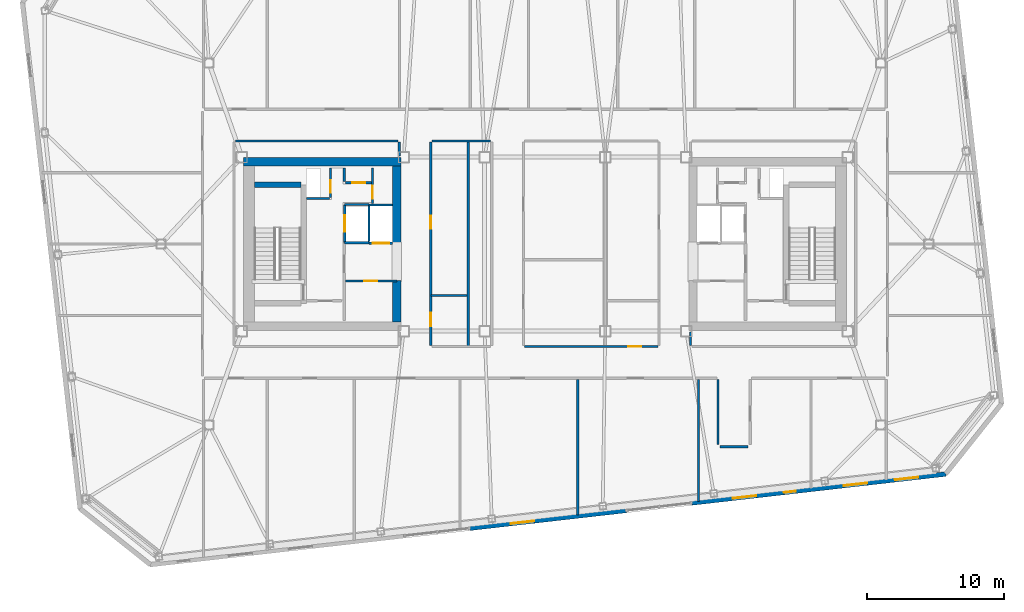
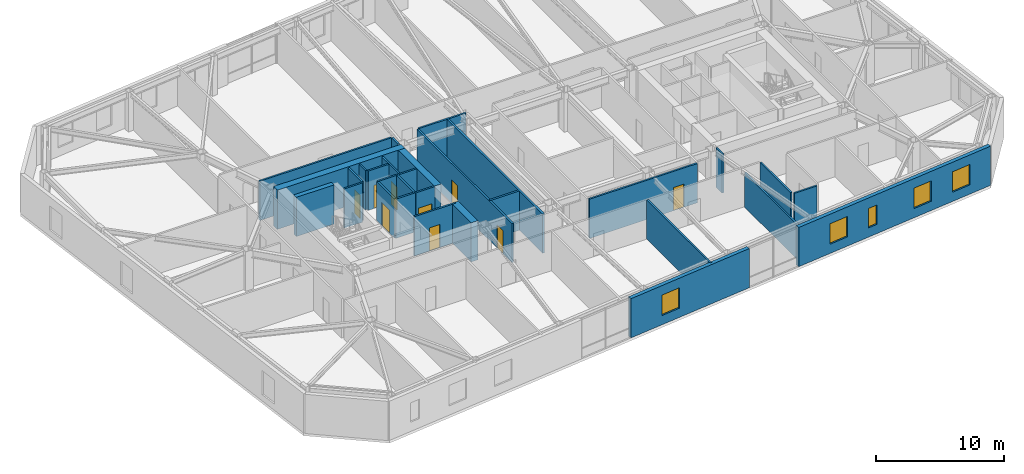
# One storey, part 15 of 21: 30 walls, 9 doors, 5 windows, 14 openings.
"""IFC4 building model written with IfcOpenShell, lengths in metres."""

from ifc_helpers import new_model, si_unit, direction, frame, frame_2d, origin, place, context, subcontext, project, spatial, rectangle, extrude, material, layer, layer_set, type_object, element, fill, save


model = new_model("IFC4")

# Units and contexts
model_context = context("Model", 3, precision=1e-05, world=origin(), true_north=direction((0.0, 1.0)))
body_context = subcontext(model_context, "Body", "Model", "MODEL_VIEW")
ifc_project = project(units=[si_unit("LENGTHUNIT", "METRE"), si_unit("AREAUNIT", "SQUARE_METRE"), si_unit("VOLUMEUNIT", "CUBIC_METRE"), si_unit("PLANEANGLEUNIT", "RADIAN"), si_unit("MASSUNIT", "GRAM", prefix="KILO")], contexts=[model_context])

# Site, building, storey
site_placement = place(None, origin())
site = spatial("IfcSite", under=ifc_project, at=site_placement, CompositionType="ELEMENT")
building_placement = place(site_placement, origin())
building = spatial("IfcBuilding", under=site, at=building_placement, Name="Tavrogorsk Clinical Tower", CompositionType="ELEMENT")
storey_placement = place(building_placement, frame((0.0, 0.0, 247.0)))
storey = spatial("IfcBuildingStorey", under=building, at=storey_placement, Name="L57", CompositionType="ELEMENT", Elevation=247.0)

# Wall, opening, door
ifc_material_1 = material(Name="Lightweight concrete blockwork B15", Category="masonry")
ifc_layer_1 = layer(ifc_material_1, 0.159912109375)
ifc_layer_set_1 = layer_set([ifc_layer_1], Name="Lightweight concrete blockwork B15")
wall_type_1 = type_object("IfcWallType", Name="PartitionWall_160", PredefinedType="PARTITIONING", material=ifc_layer_set_1)
wall_1_placement = place(storey_placement, frame((-14.534912109375, -2.699951171875, 0.0), z_axis=(0.0, 0.0, 1.0), x_axis=(1.0, 0.0, 0.0)))
wall_1 = element("IfcWall", 1, at=wall_1_placement, inside=storey, type_object=wall_type_1, Name="L57 Core West Freed Mid-Bank North Partition", PredefinedType="PARTITIONING", context=body_context, shape_type="SweptSolid", body=[
    extrude(rectangle(XDim=3.73486328125, YDim=0.159912109375, at=frame_2d((1.867431640625, 0.0))), origin(), (0.0, 0.0, 1.0), 3.739990234375),
])
opening_1_placement = place(wall_1_placement, frame((1.35009765625, 0.0, 0.0)))
opening_1 = element("IfcOpeningElement", 2, at=opening_1_placement, cuts=wall_1, Name="Opening ID-02", PredefinedType="OPENING", context=body_context, shape_type="SweptSolid", body=[
    extrude(rectangle(XDim=0.949951171875, YDim=2.199951171875, at=frame_2d((0.47509765625, 1.10009765625))), frame((0.0, 0.08984375, 0.0), z_axis=(0.0, -1.0, 0.0), x_axis=(1.0, 0.0, 0.0)), (0.0, 0.0, 1.0), 0.179931640625),
])
ifc_material_2 = material(Name="Laminated timber leaf on aluminium frame", Category="wood")
door_type_1 = type_object("IfcDoorType", Name="InteriorDoor_ID02_950", OperationType="NOTDEFINED", PredefinedType="DOOR", material=ifc_material_2)
door_1_placement = place(opening_1_placement, origin())
door_1 = element("IfcDoor", 3, at=door_1_placement, inside=storey, type_object=door_type_1, Name="L57 Core West Pharmacy Prep Door", OperationType="SINGLE_SWING_LEFT", OverallHeight=2.199951171875, OverallWidth=0.949951171875, PredefinedType="DOOR", context=body_context, shape_type="SweptSolid", body=[
    extrude(rectangle(XDim=0.949951171875, YDim=2.199951171875, at=frame_2d((0.47509765625, 1.10009765625))), frame((0.0, 0.02490234375, 0.0), z_axis=(0.0, -1.0, 0.0), x_axis=(1.0, 0.0, 0.0)), (0.0, 0.0, 1.0), 0.050048828125),
])
fill(opening_1, door_1)

wall_2_placement = place(storey_placement, frame((-12.580078125, 2.9599609375, 0.0), z_axis=(0.0, 0.0, 1.0), x_axis=(0.0, 1.0, 0.0)))
wall_2 = element("IfcWall", 4, at=wall_2_placement, inside=storey, type_object=wall_type_1, Name="L57 Core West Linen Closet Wall", PredefinedType="PARTITIONING", context=body_context, shape_type="SweptSolid", body=[
    extrude(rectangle(XDim=2.60009765625, YDim=0.159912109375, at=frame_2d((1.300048828125, 0.0))), origin(), (0.0, 0.0, 1.0), 3.739990234375),
])
opening_2_placement = place(wall_2_placement, frame((0.35009765625, 0.0, 0.0)))
opening_2 = element("IfcOpeningElement", 5, at=opening_2_placement, cuts=wall_2, Name="Opening ID-02", PredefinedType="OPENING", context=body_context, shape_type="SweptSolid", body=[
    extrude(rectangle(XDim=0.949951171875, YDim=2.199951171875, at=frame_2d((0.47509765625, 1.10009765625))), frame((0.0, 0.08984375, 0.0), z_axis=(0.0, -1.0, 0.0), x_axis=(1.0, 0.0, 0.0)), (0.0, 0.0, 1.0), 0.179931640625),
])
door_2_placement = place(opening_2_placement, origin())
door_2 = element("IfcDoor", 6, at=door_2_placement, inside=storey, type_object=door_type_1, Name="L57 Core West Linen Closet Door", OperationType="SINGLE_SWING_RIGHT", OverallHeight=2.199951171875, OverallWidth=0.949951171875, PredefinedType="DOOR", context=body_context, shape_type="SweptSolid", body=[
    extrude(rectangle(XDim=0.949951171875, YDim=2.199951171875, at=frame_2d((0.47509765625, 1.10009765625))), frame((0.0, 0.02490234375, 0.0), z_axis=(0.0, -1.0, 0.0), x_axis=(1.0, 0.0, 0.0)), (0.0, 0.0, 1.0), 0.050048828125),
])
fill(opening_2, door_2)

wall_3_placement = place(storey_placement, frame((-14.554931640625, 4.47998046875, 0.0), z_axis=(0.0, 0.0, 1.0), x_axis=(1.0, 0.0, 0.0)))
wall_3 = element("IfcWall", 7, at=wall_3_placement, inside=storey, type_object=wall_type_1, Name="L57 Core West Housekeeping South Wall", PredefinedType="PARTITIONING", context=body_context, shape_type="SweptSolid", body=[
    extrude(rectangle(XDim=1.889892578125, YDim=0.159912109375, at=frame_2d((0.94482421875, 0.0))), origin(), (0.0, 0.0, 1.0), 3.739990234375),
])
opening_3_placement = place(wall_3_placement, frame((0.5, 0.0, 0.0)))
opening_3 = element("IfcOpeningElement", 8, at=opening_3_placement, cuts=wall_3, Name="Opening ID-02", PredefinedType="OPENING", context=body_context, shape_type="SweptSolid", body=[
    extrude(rectangle(XDim=0.949951171875, YDim=2.199951171875, at=frame_2d((0.47509765625, 1.10009765625))), frame((0.0, 0.08984375, 0.0), z_axis=(0.0, -1.0, 0.0), x_axis=(1.0, 0.0, 0.0)), (0.0, 0.0, 1.0), 0.179931640625),
])
door_3_placement = place(opening_3_placement, origin())
door_3 = element("IfcDoor", 9, at=door_3_placement, inside=storey, type_object=door_type_1, Name="L57 Core West Housekeeping Closet Door", OperationType="SINGLE_SWING_LEFT", OverallHeight=2.199951171875, OverallWidth=0.949951171875, PredefinedType="DOOR", context=body_context, shape_type="SweptSolid", body=[
    extrude(rectangle(XDim=0.949951171875, YDim=2.199951171875, at=frame_2d((0.47509765625, 1.10009765625))), frame((0.0, 0.02490234375, 0.0), z_axis=(0.0, -1.0, 0.0), x_axis=(1.0, 0.0, 0.0)), (0.0, 0.0, 1.0), 0.050048828125),
])
fill(opening_3, door_3)

# Walls
wall_4_placement = place(storey_placement, frame((-14.639892578125, 4.56494140625, 0.0), z_axis=(0.0, 0.0, 1.0), x_axis=(0.0, 1.0, 0.0)))
element("IfcWall", 10, at=wall_4_placement, inside=storey, type_object=wall_type_1, Name="L57 Core West Housekeeping East Wall", PredefinedType="PARTITIONING", context=body_context, shape_type="SweptSolid", body=[
    extrude(rectangle(XDim=0.9951171875, YDim=0.159912109375, at=frame_2d((0.49755859375, 0.0))), origin(), (0.0, 0.0, 1.0), 3.739990234375),
])
wall_5_placement = place(storey_placement, frame((14.81494140625, -14.780029296875, 0.0), z_axis=(0.0, 0.0, 1.0), x_axis=(-1.0, 0.0, 0.0)))
element("IfcWall", 11, at=wall_5_placement, inside=storey, type_object=wall_type_1, Name="L57 Corridor Partition 06", PredefinedType="PARTITIONING", context=body_context, shape_type="SweptSolid", body=[
    extrude(rectangle(XDim=2.030029296875, YDim=0.159912109375, at=frame_2d((1.01513671875, 0.0))), origin(), (0.0, 0.0, 1.0), 3.739990234375),
])
wall_6_placement = place(storey_placement, frame((12.6201171875, -14.614990234375, 0.0), z_axis=(0.0, 0.0, 1.0), x_axis=(0.0, 1.0, 0.0)))
element("IfcWall", 12, at=wall_6_placement, inside=storey, type_object=wall_type_1, Name="L57 Corridor Partition 07", PredefinedType="PARTITIONING", context=body_context, shape_type="SweptSolid", body=[
    extrude(rectangle(XDim=4.75, YDim=0.159912109375, at=frame_2d((2.375, 0.0))), origin(), (0.0, 0.0, 1.0), 3.739990234375),
])
wall_7_placement = place(storey_placement, frame((10.6298828125, -6.419921875, 0.0), z_axis=(0.0, 0.0, 1.0), x_axis=(0.0, -1.0, 0.0)))
element("IfcWall", 13, at=wall_7_placement, inside=storey, type_object=wall_type_1, Name="L57 Corridor Partition 11", PredefinedType="PARTITIONING", context=body_context, shape_type="SweptSolid", body=[
    extrude(rectangle(XDim=0.965087890625, YDim=0.159912109375, at=frame_2d((0.482421875, 0.0))), origin(), (0.0, 0.0, 1.0), 3.739990234375),
])

# Wall, opening, door
wall_8_placement = place(storey_placement, frame((-1.485107421875, -7.469970703125, 0.0), z_axis=(0.0, 0.0, 1.0), x_axis=(1.0, 0.0, 0.0)))
wall_8 = element("IfcWall", 14, at=wall_8_placement, inside=storey, type_object=wall_type_1, Name="L57 Corridor Partition 16", PredefinedType="PARTITIONING", context=body_context, shape_type="SweptSolid", body=[
    extrude(rectangle(XDim=9.72021484375, YDim=0.159912109375, at=frame_2d((4.860107421875, 0.0))), origin(), (0.0, 0.0, 1.0), 3.739990234375),
])
opening_4_placement = place(wall_8_placement, frame((7.560791015625, 0.0, 0.0)))
opening_4 = element("IfcOpeningElement", 15, at=opening_4_placement, cuts=wall_8, Name="Opening ID-02", PredefinedType="OPENING", context=body_context, shape_type="SweptSolid", body=[
    extrude(rectangle(XDim=0.949951171875, YDim=2.199951171875, at=frame_2d((0.47509765625, 1.10009765625))), frame((0.0, 0.08984375, 0.0), z_axis=(0.0, -1.0, 0.0), x_axis=(1.0, 0.0, 0.0)), (0.0, 0.0, 1.0), 0.179931640625),
])
door_4_placement = place(opening_4_placement, origin())
door_4 = element("IfcDoor", 16, at=door_4_placement, inside=storey, type_object=door_type_1, Name="L57 Staff & Visitor Accessible WC Door", OperationType="SINGLE_SWING_RIGHT", OverallHeight=2.199951171875, OverallWidth=0.949951171875, PredefinedType="DOOR", context=body_context, shape_type="SweptSolid", body=[
    extrude(rectangle(XDim=0.949951171875, YDim=2.199951171875, at=frame_2d((0.47509765625, 1.10009765625))), frame((0.0, 0.02490234375, 0.0), z_axis=(0.0, -1.0, 0.0), x_axis=(1.0, 0.0, 0.0)), (0.0, 0.0, 1.0), 0.050048828125),
])
fill(opening_4, door_4)

# Wall
wall_9_placement = place(storey_placement, frame((-3.965087890625, 7.52001953125, 0.0), z_axis=(0.0, 0.0, 1.0), x_axis=(-1.0, 0.0, 0.0)))
element("IfcWall", 17, at=wall_9_placement, inside=storey, type_object=wall_type_1, Name="L57 Corridor Partition 19", PredefinedType="PARTITIONING", context=body_context, shape_type="SweptSolid", body=[
    extrude(rectangle(XDim=4.27001953125, YDim=0.159912109375, at=frame_2d((2.135009765625, 0.0))), origin(), (0.0, 0.0, 1.0), 3.739990234375),
])

# Wall, openings, doors
wall_10_placement = place(storey_placement, frame((-8.320068359375, 7.43505859375, 0.0), z_axis=(0.0, 0.0, 1.0), x_axis=(0.0, -1.0, 0.0)))
wall_10 = element("IfcWall", 18, at=wall_10_placement, inside=storey, type_object=wall_type_1, Name="L57 Corridor Partition 20", PredefinedType="PARTITIONING", context=body_context, shape_type="SweptSolid", body=[
    extrude(rectangle(XDim=14.820068359375, YDim=0.159912109375, at=frame_2d((7.41015625, 0.0))), origin(), (0.0, 0.0, 1.0), 3.739990234375),
])
opening_5_placement = place(wall_10_placement, frame((12.4609375, 0.0, 0.0)))
opening_5 = element("IfcOpeningElement", 19, at=opening_5_placement, cuts=wall_10, Name="Opening ID-02", PredefinedType="OPENING", context=body_context, shape_type="SweptSolid", body=[
    extrude(rectangle(XDim=0.949951171875, YDim=2.199951171875, at=frame_2d((0.47509765625, 1.10009765625))), frame((0.0, 0.08984375, 0.0), z_axis=(0.0, -1.0, 0.0), x_axis=(1.0, 0.0, 0.0)), (0.0, 0.0, 1.0), 0.179931640625),
])
opening_6_placement = place(wall_10_placement, frame((5.35400390625, 0.0, 0.0)))
opening_6 = element("IfcOpeningElement", 20, at=opening_6_placement, cuts=wall_10, Name="Opening ID-02", PredefinedType="OPENING", context=body_context, shape_type="SweptSolid", body=[
    extrude(rectangle(XDim=0.949951171875, YDim=2.199951171875, at=frame_2d((0.47509765625, 1.10009765625))), frame((0.0, 0.08984375, 0.0), z_axis=(0.0, -1.0, 0.0), x_axis=(1.0, 0.0, 0.0)), (0.0, 0.0, 1.0), 0.179931640625),
])
door_5_placement = place(opening_5_placement, origin())
door_5 = element("IfcDoor", 21, at=door_5_placement, inside=storey, type_object=door_type_1, Name="L57 Accessible Patient Lavatory Door", OperationType="SINGLE_SWING_RIGHT", OverallHeight=2.199951171875, OverallWidth=0.949951171875, PredefinedType="DOOR", context=body_context, shape_type="SweptSolid", body=[
    extrude(rectangle(XDim=0.949951171875, YDim=2.199951171875, at=frame_2d((0.47509765625, 1.10009765625))), frame((0.0, 0.02490234375, 0.0), z_axis=(0.0, -1.0, 0.0), x_axis=(1.0, 0.0, 0.0)), (0.0, 0.0, 1.0), 0.050048828125),
])
fill(opening_5, door_5)
door_6_placement = place(opening_6_placement, origin())
door_6 = element("IfcDoor", 22, at=door_6_placement, inside=storey, type_object=door_type_1, Name="L57 Ward Nourishment Pantry Door", OperationType="SINGLE_SWING_LEFT", OverallHeight=2.199951171875, OverallWidth=0.949951171875, PredefinedType="DOOR", context=body_context, shape_type="SweptSolid", body=[
    extrude(rectangle(XDim=0.949951171875, YDim=2.199951171875, at=frame_2d((0.47509765625, 1.10009765625))), frame((0.0, 0.02490234375, 0.0), z_axis=(0.0, -1.0, 0.0), x_axis=(1.0, 0.0, 0.0)), (0.0, 0.0, 1.0), 0.050048828125),
])
fill(opening_6, door_6)

# Walls
wall_11_placement = place(storey_placement, frame((-10.6298828125, 6.419921875, 0.0), z_axis=(0.0, 0.0, 1.0), x_axis=(0.0, 1.0, 0.0)))
element("IfcWall", 23, at=wall_11_placement, inside=storey, type_object=wall_type_1, Name="L57 Corridor Partition 23", PredefinedType="PARTITIONING", context=body_context, shape_type="SweptSolid", body=[
    extrude(rectangle(XDim=1.01513671875, YDim=0.159912109375, at=frame_2d((0.507568359375, 0.0))), origin(), (0.0, 0.0, 1.0), 3.739990234375),
])
wall_12_placement = place(storey_placement, frame((-10.715087890625, 7.52001953125, 0.0), z_axis=(0.0, 0.0, 1.0), x_axis=(-1.0, 0.0, 0.0)))
element("IfcWall", 24, at=wall_12_placement, inside=storey, type_object=wall_type_1, Name="L57 Corridor Partition 24", PredefinedType="PARTITIONING", context=body_context, shape_type="SweptSolid", body=[
    extrude(rectangle(XDim=11.869873046875, YDim=0.159912109375, at=frame_2d((5.93505859375, 0.0))), origin(), (0.0, 0.0, 1.0), 3.739990234375),
])
wall_13_placement = place(storey_placement, frame((2.39990234375, -19.762939453125, 0.0), z_axis=(0.0, 0.0, 1.0), x_axis=(0.0, 1.0, 0.0)))
element("IfcWall", 25, at=wall_13_placement, inside=storey, type_object=wall_type_1, Name="L57 South Room Partition 4", PredefinedType="PARTITIONING", context=body_context, shape_type="SweptSolid", body=[
    extrude(rectangle(XDim=9.89794921875, YDim=0.159912109375, at=frame_2d((4.948974609375, 0.0))), origin(), (0.0, 0.0, 1.0), 3.739990234375),
])
wall_14_placement = place(storey_placement, frame((11.199951171875, -18.76025390625, 0.0), z_axis=(0.0, 0.0, 1.0), x_axis=(0.0, 1.0, 0.0)))
element("IfcWall", 26, at=wall_14_placement, inside=storey, type_object=wall_type_1, Name="L57 South Room Partition 5", PredefinedType="PARTITIONING", context=body_context, shape_type="SweptSolid", body=[
    extrude(rectangle(XDim=8.895263671875, YDim=0.159912109375, at=frame_2d((4.44775390625, 0.0))), origin(), (0.0, 0.0, 1.0), 3.284912109375),
])
ifc_material_3 = material(Name="Lightweight concrete blockwork B20", Category="masonry")
ifc_layer_2 = layer(ifc_material_3, 0.179931640625)
ifc_layer_set_2 = layer_set([ifc_layer_2], Name="Lightweight concrete blockwork B20")
wall_type_2 = type_object("IfcWallType", Name="PartitionWall_180", PredefinedType="PARTITIONING", material=ifc_layer_set_2)
wall_15_placement = place(storey_placement, frame((-5.60009765625, -7.465087890625, 0.0), z_axis=(0.0, 0.0, 1.0), x_axis=(0.0, 1.0, 0.0)))
element("IfcWall", 27, at=wall_15_placement, inside=storey, type_object=wall_type_2, Name="L57 Central Spine Partition 1", PredefinedType="PARTITIONING", context=body_context, shape_type="SweptSolid", body=[
    extrude(rectangle(XDim=14.97998046875, YDim=0.179931640625, at=frame_2d((7.489990234375, 0.0))), origin(), (0.0, 0.0, 1.0), 3.739990234375),
])
wall_16_placement = place(storey_placement, frame((-8.31494140625, -3.75, 0.0), z_axis=(0.0, 0.0, 1.0), x_axis=(1.0, 0.0, 0.0)))
element("IfcWall", 28, at=wall_16_placement, inside=storey, type_object=wall_type_2, Name="L57 Central Spine Partition 4", PredefinedType="PARTITIONING", context=body_context, shape_type="SweptSolid", body=[
    extrude(rectangle(XDim=2.619873046875, YDim=0.179931640625, at=frame_2d((1.31005859375, 0.0))), origin(), (0.0, 0.0, 1.0), 3.739990234375),
])

# Wall, opening, window
ifc_material_4 = material(Name="Precast concrete B45 with limestone cladding", Category="masonry")
ifc_layer_3 = layer(ifc_material_4, 0.340087890625)
ifc_layer_set_3 = layer_set([ifc_layer_3], Name="Precast concrete B45 with limestone cladding")
wall_type_3 = type_object("IfcWallType", Name="PrecastLimestoneWall_340", PredefinedType="STANDARD", material=ifc_layer_set_3)
wall_17_placement = place(storey_placement, frame((-5.48193359375, -20.7314453125, 0.0), z_axis=(0.0, 0.0, 1.0), x_axis=(0.993571968199, 0.113202226169, 0.0)))
wall_17 = element("IfcWall", 29, at=wall_17_placement, inside=storey, type_object=wall_type_3, Name="L57 S Limestone Facade Wall 2", PredefinedType="STANDARD", context=body_context, shape_type="SweptSolid", body=[
    extrude(rectangle(XDim=11.497314453125, YDim=0.340087890625, at=frame_2d((5.74853515625, 0.0))), origin(), (0.0, 0.0, 1.0), 3.739990234375),
])
opening_7_placement = place(wall_17_placement, frame((3.0244140625, 0.0, 0.8798828125)))
opening_7 = element("IfcOpeningElement", 30, at=opening_7_placement, cuts=wall_17, Name="Opening WN-15", PredefinedType="OPENING", context=body_context, shape_type="SweptSolid", body=[
    extrude(rectangle(XDim=1.699951171875, YDim=1.949951171875, at=frame_2d((0.85009765625, 0.97509765625))), frame((0.0, 0.179931640625, 0.0), z_axis=(0.0, -1.0, 0.0), x_axis=(1.0, 0.0, 0.0)), (0.0, 0.0, 1.0), 0.360107421875),
])
ifc_material_5 = material(Name="Thermally broken aluminium frame and triple IGU", Category="aluminium")
window_type_1 = type_object("IfcWindowType", Name="OfficeChicagoWin_1700x1950", PartitioningType="SINGLE_PANEL", PredefinedType="WINDOW", material=ifc_material_5)
window_1_placement = place(opening_7_placement, origin())
window_1 = element("IfcWindow", 31, at=window_1_placement, inside=storey, type_object=window_type_1, Name="L57 S Chicago Window 05", OverallHeight=1.949951171875, OverallWidth=1.699951171875, PartitioningType="SINGLE_PANEL", PredefinedType="WINDOW", context=body_context, shape_type="SweptSolid", body=[
    extrude(rectangle(XDim=1.699951171875, YDim=1.949951171875, at=frame_2d((0.85009765625, 0.97509765625))), frame((0.0, 0.030029296875, 0.0), z_axis=(0.0, -1.0, 0.0), x_axis=(1.0, 0.0, 0.0)), (0.0, 0.0, 1.0), 0.06005859375),
])
fill(opening_7, window_1)

# Wall, openings, windows
wall_18_placement = place(storey_placement, frame((10.71044921875, -18.886474609375, 0.0), z_axis=(0.0, 0.0, 1.0), x_axis=(0.993572271362, 0.113199565282, 0.0)))
wall_18 = element("IfcWall", 32, at=wall_18_placement, inside=storey, type_object=wall_type_3, Name="L57 S Limestone Facade Wall 3", PredefinedType="STANDARD", context=body_context, shape_type="SweptSolid", body=[
    extrude(rectangle(XDim=18.6513671875, YDim=0.340087890625, at=frame_2d((9.32568359375, 0.0))), origin(), (0.0, 0.0, 1.0), 3.739990234375),
])
opening_8_placement = place(wall_18_placement, frame((3.0244140625, 0.0, 0.8798828125)))
opening_8 = element("IfcOpeningElement", 33, at=opening_8_placement, cuts=wall_18, Name="Opening WN-15", PredefinedType="OPENING", context=body_context, shape_type="SweptSolid", body=[
    extrude(rectangle(XDim=1.699951171875, YDim=1.949951171875, at=frame_2d((0.85009765625, 0.97509765625))), frame((0.0, 0.179931640625, 0.0), z_axis=(0.0, -1.0, 0.0), x_axis=(1.0, 0.0, 0.0)), (0.0, 0.0, 1.0), 0.360107421875),
])
opening_9_placement = place(wall_18_placement, frame((6.772705078125, 0.0, 0.8798828125)))
opening_9 = element("IfcOpeningElement", 34, at=opening_9_placement, cuts=wall_18, Name="Opening WN-06", PredefinedType="OPENING", context=body_context, shape_type="SweptSolid", body=[
    extrude(rectangle(XDim=0.85009765625, YDim=1.85009765625, at=frame_2d((0.425048828125, 0.925048828125))), frame((0.0, 0.179931640625, 0.0), z_axis=(0.0, -1.0, 0.0), x_axis=(1.0, 0.0, 0.0)), (0.0, 0.0, 1.0), 0.360107421875),
])
opening_10_placement = place(wall_18_placement, frame((11.1728515625, 0.0, 0.8798828125)))
opening_10 = element("IfcOpeningElement", 35, at=opening_10_placement, cuts=wall_18, Name="Opening WN-15", PredefinedType="OPENING", context=body_context, shape_type="SweptSolid", body=[
    extrude(rectangle(XDim=1.699951171875, YDim=1.949951171875, at=frame_2d((0.85009765625, 0.97509765625))), frame((0.0, 0.179931640625, 0.0), z_axis=(0.0, -1.0, 0.0), x_axis=(1.0, 0.0, 0.0)), (0.0, 0.0, 1.0), 0.360107421875),
])
opening_11_placement = place(wall_18_placement, frame((14.921142578125, 0.0, 0.8798828125)))
opening_11 = element("IfcOpeningElement", 36, at=opening_11_placement, cuts=wall_18, Name="Opening WN-15", PredefinedType="OPENING", context=body_context, shape_type="SweptSolid", body=[
    extrude(rectangle(XDim=1.699951171875, YDim=1.949951171875, at=frame_2d((0.85009765625, 0.97509765625))), frame((0.0, 0.179931640625, 0.0), z_axis=(0.0, -1.0, 0.0), x_axis=(1.0, 0.0, 0.0)), (0.0, 0.0, 1.0), 0.360107421875),
])
ifc_material_6 = material(Name="Thermally broken aluminium frame and triple IGU", Category="aluminium")
window_type_2 = type_object("IfcWindowType", Name="MullionSubWin_850x1850", PartitioningType="SINGLE_PANEL", PredefinedType="WINDOW", material=ifc_material_6)
window_2_placement = place(opening_9_placement, origin())
window_2 = element("IfcWindow", 37, at=window_2_placement, inside=storey, type_object=window_type_2, Name="L57 S Mullion Split Window 08A", OverallHeight=1.85009765625, OverallWidth=0.85009765625, PartitioningType="SINGLE_PANEL", PredefinedType="WINDOW", context=body_context, shape_type="SweptSolid", body=[
    extrude(rectangle(XDim=0.85009765625, YDim=1.85009765625, at=frame_2d((0.425048828125, 0.925048828125))), frame((0.0, 0.030029296875, 0.0), z_axis=(0.0, -1.0, 0.0), x_axis=(1.0, 0.0, 0.0)), (0.0, 0.0, 1.0), 0.06005859375),
])
fill(opening_9, window_2)
window_3_placement = place(opening_8_placement, origin())
window_3 = element("IfcWindow", 38, at=window_3_placement, inside=storey, type_object=window_type_1, Name="L57 S Chicago Window 07", OverallHeight=1.949951171875, OverallWidth=1.699951171875, PartitioningType="SINGLE_PANEL", PredefinedType="WINDOW", context=body_context, shape_type="SweptSolid", body=[
    extrude(rectangle(XDim=1.699951171875, YDim=1.949951171875, at=frame_2d((0.85009765625, 0.97509765625))), frame((0.0, 0.030029296875, 0.0), z_axis=(0.0, -1.0, 0.0), x_axis=(1.0, 0.0, 0.0)), (0.0, 0.0, 1.0), 0.06005859375),
])
fill(opening_8, window_3)
window_4_placement = place(opening_10_placement, origin())
window_4 = element("IfcWindow", 39, at=window_4_placement, inside=storey, type_object=window_type_1, Name="L57 S Chicago Window 09", OverallHeight=1.949951171875, OverallWidth=1.699951171875, PartitioningType="SINGLE_PANEL", PredefinedType="WINDOW", context=body_context, shape_type="SweptSolid", body=[
    extrude(rectangle(XDim=1.699951171875, YDim=1.949951171875, at=frame_2d((0.85009765625, 0.97509765625))), frame((0.0, 0.030029296875, 0.0), z_axis=(0.0, -1.0, 0.0), x_axis=(1.0, 0.0, 0.0)), (0.0, 0.0, 1.0), 0.06005859375),
])
fill(opening_10, window_4)
window_5_placement = place(opening_11_placement, origin())
window_5 = element("IfcWindow", 40, at=window_5_placement, inside=storey, type_object=window_type_1, Name="L57 S Chicago Window 10", OverallHeight=1.949951171875, OverallWidth=1.699951171875, PartitioningType="SINGLE_PANEL", PredefinedType="WINDOW", context=body_context, shape_type="SweptSolid", body=[
    extrude(rectangle(XDim=1.699951171875, YDim=1.949951171875, at=frame_2d((0.85009765625, 0.97509765625))), frame((0.0, 0.030029296875, 0.0), z_axis=(0.0, -1.0, 0.0), x_axis=(1.0, 0.0, 0.0)), (0.0, 0.0, 1.0), 0.06005859375),
])
fill(opening_11, window_5)

# Wall, opening, door
ifc_material_7 = material(Name="Lightweight concrete blockwork B25", Category="masonry")
ifc_layer_4 = layer(ifc_material_7, 0.159912109375)
ifc_layer_set_4 = layer_set([ifc_layer_4], Name="Lightweight concrete blockwork B25")
wall_type_4 = type_object("IfcWallType", Name="ShaftWall_160", PredefinedType="PARTITIONING", material=ifc_layer_set_4)
wall_19_placement = place(storey_placement, frame((-14.60009765625, 0.1201171875, 0.0), z_axis=(0.0, 0.0, 1.0), x_axis=(0.0, 1.0, 0.0)))
wall_19 = element("IfcWall", 41, at=wall_19_placement, inside=storey, type_object=wall_type_4, Name="L57 FFL-W Firefighting Lift Front Wall", PredefinedType="PARTITIONING", context=body_context, shape_type="SweptSolid", body=[
    extrude(rectangle(XDim=2.739990234375, YDim=0.159912109375, at=frame_2d((1.3701171875, 0.0))), origin(), (0.0, 0.0, 1.0), 3.739990234375),
])
opening_12_placement = place(wall_19_placement, frame((0.77001953125, 0.0, 0.0)))
opening_12 = element("IfcOpeningElement", 42, at=opening_12_placement, cuts=wall_19, Name="Opening LD", PredefinedType="OPENING", context=body_context, shape_type="SweptSolid", body=[
    extrude(rectangle(XDim=1.199951171875, YDim=2.199951171875, at=frame_2d((0.60009765625, 1.10009765625))), frame((0.0, 0.08984375, 0.0), z_axis=(0.0, -1.0, 0.0), x_axis=(1.0, 0.0, 0.0)), (0.0, 0.0, 1.0), 0.179931640625),
])
ifc_material_8 = material(Name="Brushed stainless steel AISI 304 sliding doors", Category="steel")
door_type_2 = type_object("IfcDoorType", Name="LiftLandingDoor_LD_1200", OperationType="SLIDING_TO_LEFT", PredefinedType="DOOR", material=ifc_material_8)
door_7_placement = place(opening_12_placement, origin())
door_7 = element("IfcDoor", 43, at=door_7_placement, inside=storey, type_object=door_type_2, Name="L57 FFL-W Sliding Lift Landing Door", OperationType="SLIDING_TO_LEFT", OverallHeight=2.199951171875, OverallWidth=1.199951171875, PredefinedType="DOOR", context=body_context, shape_type="SweptSolid", body=[
    extrude(rectangle(XDim=1.199951171875, YDim=2.199951171875, at=frame_2d((0.60009765625, 1.10009765625))), frame((0.0, 0.02490234375, 0.0), z_axis=(0.0, -1.0, 0.0), x_axis=(1.0, 0.0, 0.0)), (0.0, 0.0, 1.0), 0.050048828125),
])
fill(opening_12, door_7)

# Walls
for number, where, z_axis, x_axis, name in (
    (44, (-14.60009765625, 0.10009765625, 0.0), (0.0, 0.0, 1.0), (1.0, 0.0, 0.0), "L57 FFL-W Shaft South Wall"),
    (45, (-14.60009765625, 2.8798828125, 0.0), (0.0, 0.0, 1.0), (1.0, 0.0, 0.0), "L57 FFL-W Shaft North Wall"),
):
    element("IfcWall", number, at=place(storey_placement, frame(where, z_axis=z_axis, x_axis=x_axis)), inside=storey, type_object=wall_type_4, Name=name, PredefinedType="PARTITIONING", context=body_context, shape_type="SweptSolid", body=[
        extrude(rectangle(XDim=1.760009765625, YDim=0.159912109375, at=frame_2d((0.8798828125, 0.0))), origin(), (0.0, 0.0, 1.0), 3.739990234375),
    ])
wall_20_placement = place(storey_placement, frame((-12.840087890625, 0.179931640625, 0.0), z_axis=(0.0, 0.0, 1.0), x_axis=(0.0, 1.0, 0.0)))
element("IfcWall", 46, at=wall_20_placement, inside=storey, type_object=wall_type_4, Name="L57 FFL-W Shaft Back Wall", PredefinedType="PARTITIONING", context=body_context, shape_type="SweptSolid", body=[
    extrude(rectangle(XDim=2.6201171875, YDim=0.159912109375, at=frame_2d((1.31005859375, 0.0))), origin(), (0.0, 0.0, 1.0), 3.739990234375),
])

# Wall, opening, door
wall_21_placement = place(storey_placement, frame((-12.820068359375, 0.06005859375, 0.0), z_axis=(0.0, 0.0, 1.0), x_axis=(1.0, 0.0, 0.0)))
wall_21 = element("IfcWall", 47, at=wall_21_placement, inside=storey, type_object=wall_type_4, Name="L57 LP-H1 High-Zone Lift Portal Wall", PredefinedType="PARTITIONING", context=body_context, shape_type="SweptSolid", body=[
    extrude(rectangle(XDim=1.719970703125, YDim=0.159912109375, at=frame_2d((0.85986328125, 0.0))), origin(), (0.0, 0.0, 1.0), 3.739990234375),
])
opening_13_placement = place(wall_21_placement, frame((0.260009765625, 0.0, 0.0)))
opening_13 = element("IfcOpeningElement", 48, at=opening_13_placement, cuts=wall_21, Name="Opening LD", PredefinedType="OPENING", context=body_context, shape_type="SweptSolid", body=[
    extrude(rectangle(XDim=1.199951171875, YDim=2.199951171875, at=frame_2d((0.60009765625, 1.10009765625))), frame((0.0, 0.08984375, 0.0), z_axis=(0.0, -1.0, 0.0), x_axis=(1.0, 0.0, 0.0)), (0.0, 0.0, 1.0), 0.179931640625),
])
door_8_placement = place(opening_13_placement, origin())
door_8 = element("IfcDoor", 49, at=door_8_placement, inside=storey, type_object=door_type_2, Name="L57 LP-H1 Sliding Lift Landing Door", OperationType="SLIDING_TO_LEFT", OverallHeight=2.199951171875, OverallWidth=1.199951171875, PredefinedType="DOOR", context=body_context, shape_type="SweptSolid", body=[
    extrude(rectangle(XDim=1.199951171875, YDim=2.199951171875, at=frame_2d((0.60009765625, 1.10009765625))), frame((0.0, 0.02490234375, 0.0), z_axis=(0.0, -1.0, 0.0), x_axis=(1.0, 0.0, 0.0)), (0.0, 0.0, 1.0), 0.050048828125),
])
fill(opening_13, door_8)

# Wall
wall_22_placement = place(storey_placement, frame((-12.820068359375, 2.860107421875, 0.0), z_axis=(0.0, 0.0, 1.0), x_axis=(1.0, 0.0, 0.0)))
element("IfcWall", 50, at=wall_22_placement, inside=storey, type_object=wall_type_4, Name="L57 LP-H1 High-Zone Lift Rear Wall", PredefinedType="PARTITIONING", context=body_context, shape_type="SweptSolid", body=[
    extrude(rectangle(XDim=1.719970703125, YDim=0.159912109375, at=frame_2d((0.85986328125, 0.0))), origin(), (0.0, 0.0, 1.0), 3.739990234375),
])

# Wall, opening, door
wall_23_placement = place(storey_placement, frame((-15.639892578125, 3.405029296875, 0.0), z_axis=(0.0, 0.0, 1.0), x_axis=(0.0, 1.0, 0.0)))
wall_23 = element("IfcWall", 51, at=wall_23_placement, inside=storey, type_object=wall_type_4, Name="L57 Core West Riser West Wall", PredefinedType="PARTITIONING", context=body_context, shape_type="SweptSolid", body=[
    extrude(rectangle(XDim=2.155029296875, YDim=0.159912109375, at=frame_2d((1.07763671875, 0.0))), origin(), (0.0, 0.0, 1.0), 3.739990234375),
])
opening_14_placement = place(wall_23_placement, frame((0.35009765625, 0.0, 0.0)))
opening_14 = element("IfcOpeningElement", 52, at=opening_14_placement, cuts=wall_23, Name="Opening FD-02", PredefinedType="OPENING", context=body_context, shape_type="SweptSolid", body=[
    extrude(rectangle(XDim=0.89990234375, YDim=2.199951171875, at=frame_2d((0.449951171875, 1.10009765625))), frame((0.0, 0.08984375, 0.0), z_axis=(0.0, -1.0, 0.0), x_axis=(1.0, 0.0, 0.0)), (0.0, 0.0, 1.0), 0.179931640625),
])
ifc_material_9 = material(Name="Galvanised steel fire-rated door assembly", Category="steel")
door_type_3 = type_object("IfcDoorType", Name="FireDoor_FD02_900", OperationType="NOTDEFINED", PredefinedType="DOOR", material=ifc_material_9)
door_9_placement = place(opening_14_placement, origin())
door_9 = element("IfcDoor", 53, at=door_9_placement, inside=storey, type_object=door_type_3, Name="L57 Core West Electrical Riser Access Door", OperationType="SINGLE_SWING_LEFT", OverallHeight=2.199951171875, OverallWidth=0.89990234375, PredefinedType="DOOR", context=body_context, shape_type="SweptSolid", body=[
    extrude(rectangle(XDim=0.89990234375, YDim=2.199951171875, at=frame_2d((0.449951171875, 1.10009765625))), frame((0.0, 0.02490234375, 0.0), z_axis=(0.0, -1.0, 0.0), x_axis=(1.0, 0.0, 0.0)), (0.0, 0.0, 1.0), 0.050048828125),
])
fill(opening_14, door_9)

# Walls
wall_24_placement = place(storey_placement, frame((-17.3798828125, 3.320068359375, 0.0), z_axis=(0.0, 0.0, 1.0), x_axis=(1.0, 0.0, 0.0)))
element("IfcWall", 54, at=wall_24_placement, inside=storey, type_object=wall_type_4, Name="L57 Core West Riser South Wall", PredefinedType="PARTITIONING", context=body_context, shape_type="SweptSolid", body=[
    extrude(rectangle(XDim=1.65478515625, YDim=0.159912109375, at=frame_2d((0.827392578125, 0.0))), origin(), (0.0, 0.0, 1.0), 3.739990234375),
])
ifc_material_10 = material(Name="Concrete B80", Category="concrete")
ifc_layer_5 = layer(ifc_material_10, 0.39990234375)
ifc_layer_set_5 = layer_set([ifc_layer_5], Name="Concrete B80")
wall_type_5 = type_object("IfcWallType", Name="ShearWall_400", PredefinedType="SHEAR", material=ifc_layer_set_5)
wall_25_placement = place(storey_placement, frame((-21.199951171875, 4.324951171875, 0.0), z_axis=(0.0, 0.0, 1.0), x_axis=(1.0, 0.0, 0.0)))
element("IfcWall", 55, at=wall_25_placement, inside=storey, type_object=wall_type_5, Name="L57 Core West Stair Shaft North Shear Wall", PredefinedType="SHEAR", context=body_context, shape_type="SweptSolid", body=[
    extrude(rectangle(XDim=3.39990234375, YDim=0.39990234375, at=frame_2d((1.699951171875, 0.0))), origin(), (0.0, 0.0, 1.0), 3.739990234375),
])
ifc_material_11 = material(Name="Concrete B80", Category="concrete")
ifc_layer_6 = layer(ifc_material_11, 0.60009765625)
ifc_layer_set_6 = layer_set([ifc_layer_6], Name="Concrete B80")
wall_type_6 = type_object("IfcWallType", Name="ShearWall_600", PredefinedType="SHEAR", material=ifc_layer_set_6)
wall_26_placement = place(storey_placement, frame((-22.0, 6.0, 0.0), z_axis=(0.0, 0.0, 1.0), x_axis=(1.0, 0.0, 0.0)))
element("IfcWall", 56, at=wall_26_placement, inside=storey, type_object=wall_type_6, Name="L57 Core West North Shear Wall", PredefinedType="SHEAR", context=body_context, shape_type="SweptSolid", body=[
    extrude(rectangle(XDim=11.5, YDim=0.60009765625, at=frame_2d((5.75, 0.0))), origin(), (0.0, 0.0, 1.0), 3.739990234375),
])
wall_27_placement = place(storey_placement, frame((-10.800048828125, -5.699951171875, 0.0), z_axis=(0.0, 0.0, 1.0), x_axis=(0.0, 1.0, 0.0)))
element("IfcWall", 57, at=wall_27_placement, inside=storey, type_object=wall_type_6, Name="L57 Core West Inner South Pier", PredefinedType="SHEAR", context=body_context, shape_type="SweptSolid", body=[
    extrude(rectangle(XDim=3.050048828125, YDim=0.60009765625, at=frame_2d((1.52490234375, 0.0))), origin(), (0.0, 0.0, 1.0), 3.739990234375),
])
wall_28_placement = place(storey_placement, frame((-10.800048828125, 0.050048828125, 0.0), z_axis=(0.0, 0.0, 1.0), x_axis=(0.0, 1.0, 0.0)))
element("IfcWall", 58, at=wall_28_placement, inside=storey, type_object=wall_type_6, Name="L57 Core West Inner North Pier", PredefinedType="SHEAR", context=body_context, shape_type="SweptSolid", body=[
    extrude(rectangle(XDim=5.64990234375, YDim=0.60009765625, at=frame_2d((2.824951171875, 0.0))), origin(), (0.0, 0.0, 1.0), 3.739990234375),
])

save(model, "model.ifc")
